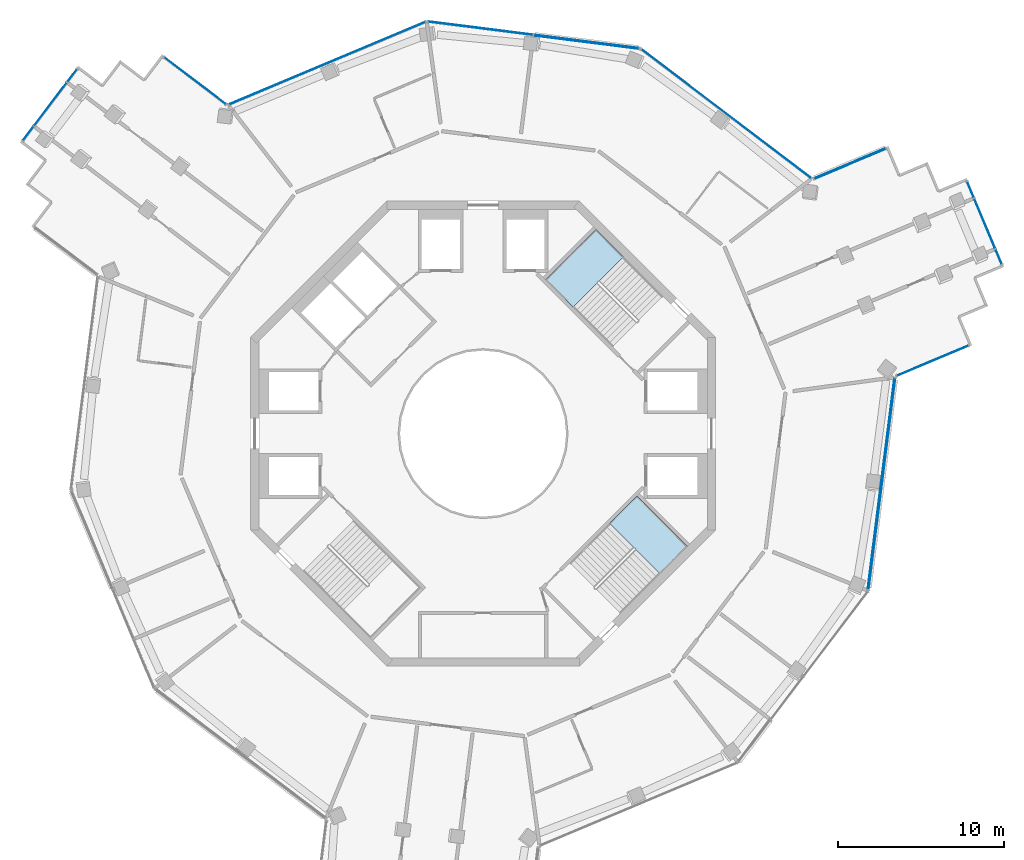
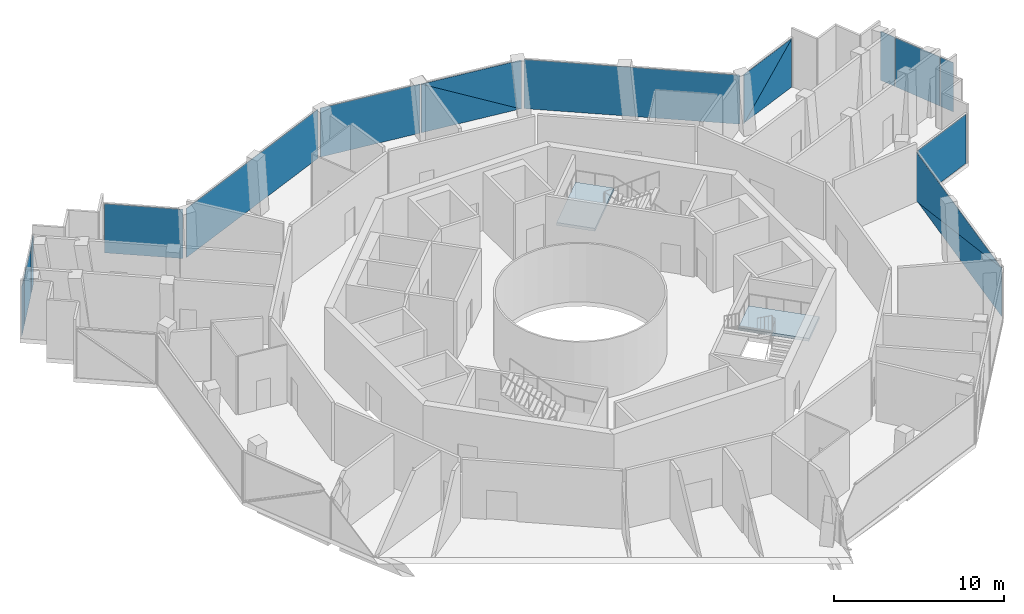
# One storey, part 11 of 18: 17 plates, 2 slabs, 11 elements without a shape of their own.
"""IFC4 building model written with IfcOpenShell, lengths in metres."""

from ifc_helpers import new_model, si_unit, direction, frame, origin, origin_2d, place, context, subcontext, project, spatial, polyline, rectangle, outline, extrude, material, layer, layer_set, type_object, element, aggregate, save


model = new_model("IFC4")

# Units and contexts
model_context = context("Model", 3, precision=1e-05, world=origin(), true_north=direction((0.0, 1.0)))
body_context = subcontext(model_context, "Body", "Model", "MODEL_VIEW")
ifc_project = project(units=[si_unit("LENGTHUNIT", "METRE"), si_unit("AREAUNIT", "SQUARE_METRE"), si_unit("VOLUMEUNIT", "CUBIC_METRE"), si_unit("PLANEANGLEUNIT", "RADIAN"), si_unit("MASSUNIT", "GRAM", prefix="KILO")], contexts=[model_context])

# Site, building, storey
site_placement = place(None, origin())
site = spatial("IfcSite", under=ifc_project, at=site_placement, CompositionType="ELEMENT")
building_placement = place(site_placement, origin())
building = spatial("IfcBuilding", under=site, at=building_placement, Name="Verdalira Terraces Hotel", CompositionType="ELEMENT")
storey_placement = place(building_placement, frame((0.0, 0.0, 248.0)))
storey = spatial("IfcBuildingStorey", under=building, at=storey_placement, Name="L61", CompositionType="ELEMENT", Elevation=248.0)

# Curtain wall, plate
ifc_material_1 = material(Name="Clear glass", Category="glass")
ifc_layer_1 = layer(ifc_material_1, 0.179931640625)
ifc_layer_set_1 = layer_set([ifc_layer_1], Name="CW4 curtain wall")
curtain_wall_type = type_object("IfcCurtainWallType", Name="CW4 curtain wall", PredefinedType="NOTDEFINED", material=ifc_layer_set_1)
curtain_wall_1_placement = place(storey_placement, origin())
curtain_wall_1 = element("IfcCurtainWall", 1, at=curtain_wall_1_placement, inside=storey, type_object=curtain_wall_type, Name="CW4 curtain wall L61 edge 0", PredefinedType="NOTDEFINED")
ifc_material_2 = material(Name="Clear glass", Category="glass")
ifc_layer_2 = layer(ifc_material_2, 0.035888671875)
ifc_layer_set_2 = layer_set([ifc_layer_2], Name="CW4 glass unit 36")
plate_type = type_object("IfcPlateType", Name="CW4 glass unit 36", PredefinedType="CURTAIN_PANEL", material=ifc_layer_set_2)
plate_1_placement = place(storey_placement, frame((-17.346191, 21.251709, 0.0), z_axis=(0.0, 0.0, 1.0), x_axis=(-0.796529918, 0.604599115, 0.0)))
plate_1 = element("IfcPlate", 2, at=plate_1_placement, type_object=plate_type, Name="CW4 glass unit", PredefinedType="CURTAIN_PANEL", context=body_context, shape_type="SweptSolid", body=[
    extrude(rectangle(XDim=4.649658, YDim=0.035889, at=origin_2d()), origin(), (0.0, 0.0, 1.0), 3.52002),
])
aggregate(curtain_wall_1, [plate_1])

# Curtain wall, plates
curtain_wall_2_placement = place(storey_placement, origin())
curtain_wall_2 = element("IfcCurtainWall", 3, at=curtain_wall_2_placement, inside=storey, type_object=curtain_wall_type, Name="CW4 curtain wall L61 edge 5", PredefinedType="NOTDEFINED")
plate_2_placement = place(storey_placement, frame((-24.746094, 21.558838, 0.0), z_axis=(0.0, 0.0, 1.0), x_axis=(-0.604599115, -0.796529918, 0.0)))
plate_2 = element("IfcPlate", 4, at=plate_2_placement, type_object=plate_type, Name="CW4 glass unit", PredefinedType="CURTAIN_PANEL", context=body_context, shape_type="SweptSolid", body=[
    extrude(rectangle(XDim=0.948242, YDim=0.035889, at=origin_2d()), origin(), (0.0, 0.0, 1.0), 3.52002),
])
plate_3_placement = place(storey_placement, frame((-26.054443, 19.835205, 0.0), z_axis=(0.0, 0.0, 1.0), x_axis=(-0.604599115, -0.796529918, 0.0)))
plate_3 = element("IfcPlate", 5, at=plate_3_placement, type_object=plate_type, Name="CW4 glass unit", PredefinedType="CURTAIN_PANEL", context=body_context, shape_type="SweptSolid", body=[
    extrude(rectangle(XDim=3.249756, YDim=0.035889, at=origin_2d()), origin(), (0.0, 0.0, 1.0), 3.52002),
])
plate_4_placement = place(storey_placement, frame((-27.391113, 18.074219, 0.0), z_axis=(0.0, 0.0, 1.0), x_axis=(-0.604599115, -0.796529918, 0.0)))
plate_4 = element("IfcPlate", 6, at=plate_4_placement, type_object=plate_type, Name="CW4 glass unit", PredefinedType="CURTAIN_PANEL", context=body_context, shape_type="SweptSolid", body=[
    extrude(rectangle(XDim=1.041992, YDim=0.035889, at=origin_2d()), origin(), (0.0, 0.0, 1.0), 3.52002),
])
aggregate(curtain_wall_2, [plate_2, plate_3, plate_4])

curtain_wall_3_placement = place(storey_placement, origin())
curtain_wall_3 = element("IfcCurtainWall", 7, at=curtain_wall_3_placement, inside=storey, type_object=curtain_wall_type, Name="CW4 curtain wall L61 edge 27", PredefinedType="NOTDEFINED")
plate_5_placement = place(storey_placement, frame((23.991211, -3.019287, 1.76001), z_axis=(0.992114701, -0.125333234, 0.0), x_axis=(0.125333234, 0.992114701, 0.0)))
plate_5 = element("IfcPlate", 8, at=plate_5_placement, type_object=plate_type, Name="CW4 glass unit", PredefinedType="CURTAIN_PANEL", context=body_context, shape_type="SweptSolid", body=[
    extrude(outline(polyline([(-6.40625, -1.76001), (6.40625, -1.76001), (-6.40625, 1.76001), (-6.40625, -1.76001)])), origin(), (0.0, 0.0, 1.0), 0.035889),
])
plate_6_placement = place(storey_placement, frame((23.954346, -3.014648, 1.76001), z_axis=(0.992114701, -0.125333234, 0.0), x_axis=(0.125333234, 0.992114701, 0.0)))
plate_6 = element("IfcPlate", 9, at=plate_6_placement, type_object=plate_type, Name="CW4 glass unit", PredefinedType="CURTAIN_PANEL", context=body_context, shape_type="SweptSolid", body=[
    extrude(outline(polyline([(6.40625, -1.76001), (6.40625, 1.76001), (-6.40625, 1.76001), (6.40625, -1.76001)])), origin(), (0.0, 0.0, 1.0), 0.035889),
])
aggregate(curtain_wall_3, [plate_5, plate_6])

# Curtain wall, plate
curtain_wall_4_placement = place(storey_placement, origin())
curtain_wall_4 = element("IfcCurtainWall", 10, at=curtain_wall_4_placement, inside=storey, type_object=curtain_wall_type, Name="CW4 curtain wall L61 edge 28", PredefinedType="NOTDEFINED")
plate_7_placement = place(storey_placement, frame((27.077637, 4.396484, 0.0), z_axis=(0.0, 0.0, 1.0), x_axis=(0.921863152, 0.387515586, 0.0)))
plate_7 = element("IfcPlate", 11, at=plate_7_placement, type_object=plate_type, Name="CW4 glass unit", PredefinedType="CURTAIN_PANEL", context=body_context, shape_type="SweptSolid", body=[
    extrude(rectangle(XDim=4.649658, YDim=0.035889, at=origin_2d()), origin(), (0.0, 0.0, 1.0), 3.52002),
])
aggregate(curtain_wall_4, [plate_7])

# Curtain wall, plates
curtain_wall_5_placement = place(storey_placement, origin())
curtain_wall_5 = element("IfcCurtainWall", 12, at=curtain_wall_5_placement, inside=storey, type_object=curtain_wall_type, Name="CW4 curtain wall L61 edge 33", PredefinedType="NOTDEFINED")
plate_8_placement = place(storey_placement, frame((31.043457, 10.651123, 0.0), z_axis=(0.0, 0.0, 1.0), x_axis=(-0.387515586, 0.921863152, 0.0)))
plate_8 = element("IfcPlate", 13, at=plate_8_placement, type_object=plate_type, Name="CW4 glass unit", PredefinedType="CURTAIN_PANEL", context=body_context, shape_type="SweptSolid", body=[
    extrude(rectangle(XDim=0.948242, YDim=0.035889, at=origin_2d()), origin(), (0.0, 0.0, 1.0), 3.52002),
])
plate_9_placement = place(storey_placement, frame((30.204834, 12.64624, 0.0), z_axis=(0.0, 0.0, 1.0), x_axis=(-0.387515586, 0.921863152, 0.0)))
plate_9 = element("IfcPlate", 14, at=plate_9_placement, type_object=plate_type, Name="CW4 glass unit", PredefinedType="CURTAIN_PANEL", context=body_context, shape_type="SweptSolid", body=[
    extrude(rectangle(XDim=3.249756, YDim=0.035889, at=origin_2d()), origin(), (0.0, 0.0, 1.0), 3.52002),
])
plate_10_placement = place(storey_placement, frame((29.348145, 14.684326, 0.0), z_axis=(0.0, 0.0, 1.0), x_axis=(-0.387515586, 0.921863152, 0.0)))
plate_10 = element("IfcPlate", 15, at=plate_10_placement, type_object=plate_type, Name="CW4 glass unit", PredefinedType="CURTAIN_PANEL", context=body_context, shape_type="SweptSolid", body=[
    extrude(rectangle(XDim=1.041992, YDim=0.035889, at=origin_2d()), origin(), (0.0, 0.0, 1.0), 3.52002),
])
aggregate(curtain_wall_5, [plate_8, plate_9, plate_10])

curtain_wall_6_placement = place(storey_placement, origin())
curtain_wall_6 = element("IfcCurtainWall", 16, at=curtain_wall_6_placement, inside=storey, type_object=curtain_wall_type, Name="CW4 curtain wall L61 edge 38", PredefinedType="NOTDEFINED")
plate_11_placement = place(storey_placement, frame((22.093262, 16.253418, 1.76001), z_axis=(-0.387515586, 0.921863152, 0.0), x_axis=(-0.921863152, -0.387515586, 0.0)))
plate_11 = element("IfcPlate", 17, at=plate_11_placement, type_object=plate_type, Name="CW4 glass unit", PredefinedType="CURTAIN_PANEL", context=body_context, shape_type="SweptSolid", body=[
    extrude(outline(polyline([(-2.324707, -1.76001), (2.324707, -1.76001), (-2.324707, 1.76001), (-2.324707, -1.76001)])), origin(), (0.0, 0.0, 1.0), 0.035889),
])
plate_12_placement = place(storey_placement, frame((22.107666, 16.219238, 1.76001), z_axis=(-0.387515586, 0.921863152, 0.0), x_axis=(-0.921863152, -0.387515586, 0.0)))
plate_12 = element("IfcPlate", 18, at=plate_12_placement, type_object=plate_type, Name="CW4 glass unit", PredefinedType="CURTAIN_PANEL", context=body_context, shape_type="SweptSolid", body=[
    extrude(outline(polyline([(2.324707, -1.76001), (2.324707, 1.76001), (-2.324707, 1.76001), (2.324707, -1.76001)])), origin(), (0.0, 0.0, 1.0), 0.035889),
])
aggregate(curtain_wall_6, [plate_11, plate_12])

# Curtain wall, plate
curtain_wall_7_placement = place(storey_placement, origin())
curtain_wall_7 = element("IfcCurtainWall", 19, at=curtain_wall_7_placement, inside=storey, type_object=curtain_wall_type, Name="CW4 curtain wall L61 edge 39", PredefinedType="NOTDEFINED")
plate_13_placement = place(storey_placement, frame((14.639404, 19.267822, 0.0), z_axis=(0.0, 0.0, 1.0), x_axis=(-0.796529918, 0.604599115, 0.0)))
plate_13 = element("IfcPlate", 20, at=plate_13_placement, type_object=plate_type, Name="CW4 glass unit", PredefinedType="CURTAIN_PANEL", context=body_context, shape_type="SweptSolid", body=[
    extrude(rectangle(XDim=12.8125, YDim=0.035889, at=origin_2d()), origin(), (0.0, 0.0, 1.0), 3.52002),
])
aggregate(curtain_wall_7, [plate_13])

# Curtain wall, plates
curtain_wall_8_placement = place(storey_placement, origin())
curtain_wall_8 = element("IfcCurtainWall", 21, at=curtain_wall_8_placement, inside=storey, type_object=curtain_wall_type, Name="CW4 curtain wall L61 edge 40", PredefinedType="NOTDEFINED")
plate_14_placement = place(storey_placement, frame((6.218994, 23.586914, 1.76001), z_axis=(0.125333234, 0.992114701, 0.0), x_axis=(-0.992114701, 0.125333234, 0.0)))
plate_14 = element("IfcPlate", 22, at=plate_14_placement, type_object=plate_type, Name="CW4 glass unit", PredefinedType="CURTAIN_PANEL", context=body_context, shape_type="SweptSolid", body=[
    extrude(outline(polyline([(-3.181152, -1.76001), (3.181152, -1.76001), (3.181152, 1.76001), (-3.181152, -1.76001)])), origin(), (0.0, 0.0, 1.0), 0.035889),
])
plate_15_placement = place(storey_placement, frame((6.214355, 23.550049, 1.76001), z_axis=(0.125333234, 0.992114701, 0.0), x_axis=(-0.992114701, 0.125333234, 0.0)))
plate_15 = element("IfcPlate", 23, at=plate_15_placement, type_object=plate_type, Name="CW4 glass unit", PredefinedType="CURTAIN_PANEL", context=body_context, shape_type="SweptSolid", body=[
    extrude(outline(polyline([(-3.181152, -1.76001), (3.181152, 1.76001), (-3.181152, 1.76001), (-3.181152, -1.76001)])), origin(), (0.0, 0.0, 1.0), 0.035889),
])
plate_16_placement = place(storey_placement, frame((-0.155518, 24.4104, 0.0), z_axis=(0.0, 0.0, 1.0), x_axis=(-0.992114701, 0.125333234, 0.0)))
plate_16 = element("IfcPlate", 24, at=plate_16_placement, type_object=plate_type, Name="CW4 glass unit", PredefinedType="CURTAIN_PANEL", context=body_context, shape_type="SweptSolid", body=[
    extrude(rectangle(XDim=6.362305, YDim=0.035889, at=origin_2d()), origin(), (0.0, 0.0, 1.0), 3.52002),
])
aggregate(curtain_wall_8, [plate_14, plate_15, plate_16])

# Curtain wall, plate
curtain_wall_9_placement = place(storey_placement, origin())
curtain_wall_9 = element("IfcCurtainWall", 25, at=curtain_wall_9_placement, inside=storey, type_object=curtain_wall_type, Name="CW4 curtain wall L61 edge 41", PredefinedType="NOTDEFINED")
plate_17_placement = place(storey_placement, frame((-9.387695, 22.303223, 0.0), z_axis=(0.0, 0.0, 1.0), x_axis=(-0.921863152, -0.387515586, 0.0)))
plate_17 = element("IfcPlate", 26, at=plate_17_placement, type_object=plate_type, Name="CW4 glass unit", PredefinedType="CURTAIN_PANEL", context=body_context, shape_type="SweptSolid", body=[
    extrude(rectangle(XDim=12.8125, YDim=0.035889, at=origin_2d()), origin(), (0.0, 0.0, 1.0), 3.52002),
])
aggregate(curtain_wall_9, [plate_17])

# Stair, slab
ifc_material_3 = material(Name="Concrete C40", Category="concrete")
stair_type = type_object("IfcStairType", Name="Core stair 26 risers 2100 mm wide", PredefinedType="HALF_TURN_STAIR", material=ifc_material_3)
stair_1_placement = place(storey_placement, origin())
stair_1 = element("IfcStair", 27, at=stair_1_placement, inside=storey, type_object=stair_type, Name="L61 Exit stair ST1", PredefinedType="HALF_TURN_STAIR")
ifc_material_4 = material(Name="Concrete C40", Category="concrete")
ifc_layer_3 = layer(ifc_material_4, 0.199951171875)
ifc_layer_set_3 = layer_set([ifc_layer_3], Name="Core stair landing 200 mm")
slab_type = type_object("IfcSlabType", Name="Core stair landing 200 mm", PredefinedType="LANDING", material=ifc_layer_set_3)
slab_1_placement = place(storey_placement, frame((0.0, 0.0, 2.050049)))
slab_1 = element("IfcSlab", 28, at=slab_1_placement, type_object=slab_type, Name="ST1 landing 1", PredefinedType="LANDING", context=body_context, shape_type="SweptSolid", body=[
    extrude(outline(polyline([(8.443115, 10.648682), (6.78833, 12.303711), (3.747559, 9.263184), (5.402588, 7.608154), (8.443115, 10.648682)])), origin(), (0.0, 0.0, 1.0), 0.199951),
])
aggregate(stair_1, [slab_1])

stair_2_placement = place(storey_placement, origin())
stair_2 = element("IfcStair", 29, at=stair_2_placement, inside=storey, type_object=stair_type, Name="L61 Exit stair ST3", PredefinedType="HALF_TURN_STAIR")
slab_2_placement = place(storey_placement, frame((0.0, 0.0, 2.050049)))
slab_2 = element("IfcSlab", 30, at=slab_2_placement, type_object=slab_type, Name="ST3 landing 1", PredefinedType="LANDING", context=body_context, shape_type="SweptSolid", body=[
    extrude(outline(polyline([(10.648682, -8.443115), (12.303711, -6.78833), (9.263184, -3.747559), (7.608154, -5.402588), (10.648682, -8.443115)])), origin(), (0.0, 0.0, 1.0), 0.199951),
])
aggregate(stair_2, [slab_2])

save(model, "model.ifc")
